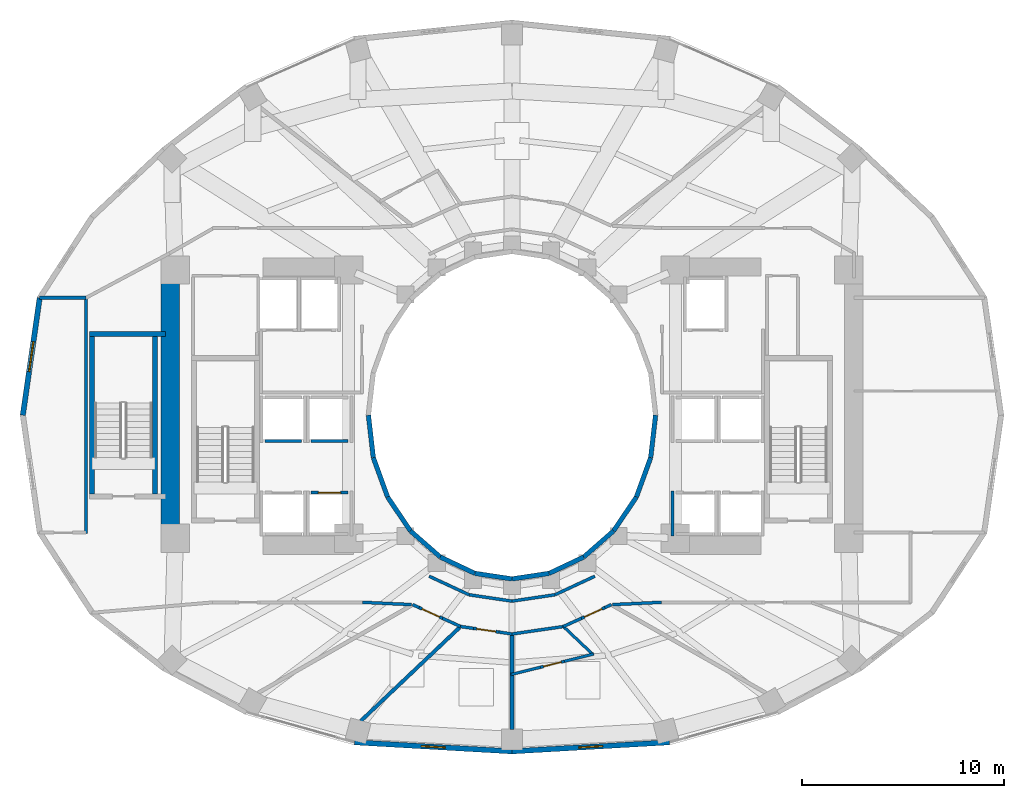
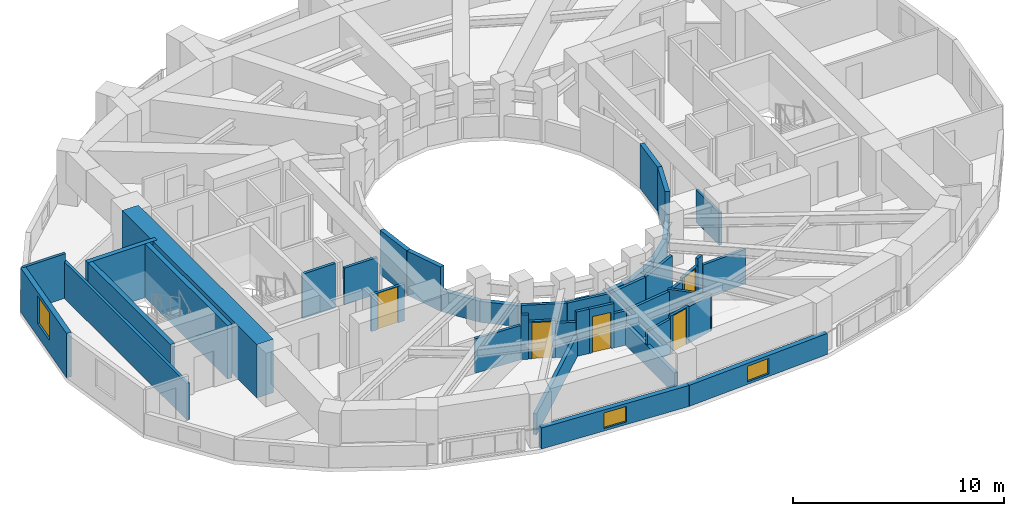
# One storey, part 9 of 16: 47 walls, 5 doors, 3 windows, 8 openings.
"""IFC4 building model written with IfcOpenShell, lengths in metres."""

from ifc_helpers import new_model, si_unit, direction, frame, frame_2d, origin, place, context, subcontext, project, spatial, rectangle, extrude, material, layer, layer_set, type_object, element, fill, save


model = new_model("IFC4")

# Units and contexts
model_context = context("Model", 3, precision=1e-05, world=origin(), true_north=direction((0.0, 1.0)))
body_context = subcontext(model_context, "Body", "Model", "MODEL_VIEW")
ifc_project = project(units=[si_unit("LENGTHUNIT", "METRE"), si_unit("AREAUNIT", "SQUARE_METRE"), si_unit("VOLUMEUNIT", "CUBIC_METRE"), si_unit("PLANEANGLEUNIT", "RADIAN"), si_unit("MASSUNIT", "GRAM", prefix="KILO")], contexts=[model_context])

# Site, building, storey
site_placement = place(None, origin())
site = spatial("IfcSite", under=ifc_project, at=site_placement, CompositionType="ELEMENT")
building_placement = place(site_placement, origin())
building = spatial("IfcBuilding", under=site, at=building_placement, Name="Solvane Sanctuary Tower", CompositionType="ELEMENT")
storey_placement = place(building_placement, frame((0.0, 0.0, 82.5)))
storey = spatial("IfcBuildingStorey", under=building, at=storey_placement, Name="L24", CompositionType="ELEMENT", Elevation=82.5)

# Walls
ifc_material_1 = material(Name="Concrete C70/85", Category="concrete")
ifc_layer_1 = layer(ifc_material_1, 0.89990234375, Name="Concrete C70/85")
ifc_layer_set_1 = layer_set([ifc_layer_1], Name="Concrete C70/85")
wall_type_1 = type_object("IfcWallType", Name="Wall W-CORE-900", PredefinedType="SHEAR", material=ifc_layer_set_1)
wall_1_placement = place(storey_placement, frame((15.050048828125, 17.050048828125, 0.0), z_axis=(0.0, 0.0, 1.0), x_axis=(0.0, 1.0, 0.0)))
element("IfcWall", 1, at=wall_1_placement, inside=storey, type_object=wall_type_1, Name="L24 Core Shear Wall WC-W", PredefinedType="SHEAR", context=body_context, shape_type="SweptSolid", body=[
    extrude(rectangle(XDim=12.800048828125, YDim=0.89990234375, at=frame_2d((6.39990234375, 0.0))), origin(), (0.0, 0.0, 1.0), 3.10009765625),
])
ifc_material_2 = material(Name="Acoustic Gypsum Partition Board")
ifc_layer_2 = layer(ifc_material_2, 0.14990234375, Name="Acoustic Gypsum Partition Board")
ifc_layer_set_2 = layer_set([ifc_layer_2], Name="Acoustic Gypsum Partition Board")
wall_type_2 = type_object("IfcWallType", Name="Wall W-CORR-150", PredefinedType="PARTITIONING", material=ifc_layer_set_2)
wall_2_placement = place(storey_placement, frame((27.889892578125, 15.01513671875, 0.0), z_axis=(0.0, 0.0, 1.0), x_axis=(0.906943449489, -0.421252393975, 0.0)))
element("IfcWall", 2, at=wall_2_placement, inside=storey, type_object=wall_type_2, Name="L24 Light-Well Corridor Rim Wall S1", PredefinedType="PARTITIONING", context=body_context, shape_type="SweptSolid", body=[
    extrude(rectangle(XDim=2.18603515625, YDim=0.14990234375, at=frame_2d((1.093017578125, 0.0))), origin(), (0.0, 0.0, 1.0), 1.991943359375),
])
for number, where, z_axis, x_axis, name in (
    (3, (29.87255859375, 14.09423828125, 0.0), (0.0, 0.0, 1.0), (0.989268584896, -0.146108408166, 0.0), "L24 Light-Well Corridor Rim Wall S2"),
    (4, (32.0, 13.780029296875, 0.0), (0.0, 0.0, 1.0), (0.989268584896, 0.146108408166, 0.0), "L24 Light-Well Corridor Rim Wall S3"),
):
    element("IfcWall", number, at=place(storey_placement, frame(where, z_axis=z_axis, x_axis=x_axis)), inside=storey, type_object=wall_type_2, Name=name, PredefinedType="PARTITIONING", context=body_context, shape_type="SweptSolid", body=[
        extrude(rectangle(XDim=2.150634765625, YDim=0.14990234375, at=frame_2d((1.0751953125, 0.0))), origin(), (0.0, 0.0, 1.0), 1.991943359375),
    ])
wall_3_placement = place(storey_placement, frame((34.12744140625, 14.09423828125, 0.0), z_axis=(0.0, 0.0, 1.0), x_axis=(0.906943449489, 0.421252393975, 0.0)))
element("IfcWall", 5, at=wall_3_placement, inside=storey, type_object=wall_type_2, Name="L24 Light-Well Corridor Rim Wall S4", PredefinedType="PARTITIONING", context=body_context, shape_type="SweptSolid", body=[
    extrude(rectangle(XDim=2.18603515625, YDim=0.14990234375, at=frame_2d((1.093017578125, 0.0))), origin(), (0.0, 0.0, 1.0), 1.991943359375),
])
wall_4_placement = place(storey_placement, frame((10.8798828125, 17.134765625, 0.0), z_axis=(0.0, 0.0, 1.0), x_axis=(0.0, 1.0, 0.0)))
element("IfcWall", 6, at=wall_4_placement, inside=storey, type_object=wall_type_2, Name="L24 West Shoulder Back Wall", PredefinedType="PARTITIONING", context=body_context, shape_type="SweptSolid", body=[
    extrude(rectangle(XDim=11.73046875, YDim=0.14990234375, at=frame_2d((5.865234375, 0.0))), origin(), (0.0, 0.0, 1.0), 2.1201171875),
])
wall_5_placement = place(storey_placement, frame((8.558349609375, 28.8251953125, 0.0), z_axis=(0.0, 0.0, 1.0), x_axis=(1.0, 0.0, 0.0)))
element("IfcWall", 7, at=wall_5_placement, inside=storey, type_object=wall_type_2, Name="L24 West Shoulder North Wall", PredefinedType="PARTITIONING", context=body_context, shape_type="SweptSolid", body=[
    extrude(rectangle(XDim=2.321533203125, YDim=0.14990234375, at=frame_2d((1.16064453125, 0.0))), origin(), (0.0, 0.0, 1.0), 2.574951171875),
])
for number, where, z_axis, x_axis, name in (
    (8, (27.02001953125, 13.606201171875, 0.0), (0.0, 0.0, 1.0), (-0.998877427952, 0.047369651964, 0.0), "L24 SW Corner Throat Wall"),
    (9, (36.97998046875, 13.606201171875, 0.0), (0.0, 0.0, 1.0), (0.998877427952, 0.047369651964, 0.0), "L24 SE Corner Throat Wall"),
):
    element("IfcWall", number, at=place(storey_placement, frame(where, z_axis=z_axis, x_axis=x_axis)), inside=storey, type_object=wall_type_2, Name=name, PredefinedType="PARTITIONING", context=body_context, shape_type="SweptSolid", body=[
        extrude(rectangle(XDim=2.4326171875, YDim=0.14990234375, at=frame_2d((1.21630859375, 0.0))), origin(), (0.0, 0.0, 1.0), 1.991943359375),
    ])
wall_6_placement = place(storey_placement, frame((27.069091796875, 13.607421875, 0.0), z_axis=(0.0, 0.0, 1.0), x_axis=(0.909787750204, -0.415073788113, 0.0)))
element("IfcWall", 10, at=wall_6_placement, inside=storey, type_object=wall_type_2, Name="L24 Unit Corridor Wall S1", PredefinedType="PARTITIONING", context=body_context, shape_type="SweptSolid", body=[
    extrude(rectangle(XDim=0.36181640625, YDim=0.14990234375, at=frame_2d((0.180908203125, 0.0))), origin(), (0.0, 0.0, 1.0), 2.574951171875),
])

# Wall, opening, door
wall_7_placement = place(storey_placement, frame((27.398193359375, 13.457275390625, 0.0), z_axis=(0.0, 0.0, 1.0), x_axis=(0.909740090182, -0.415178236804, 0.0)))
wall_7 = element("IfcWall", 11, at=wall_7_placement, inside=storey, type_object=wall_type_2, Name="L24 Unit Corridor Wall S1", PredefinedType="PARTITIONING", context=body_context, shape_type="SweptSolid", body=[
    extrude(rectangle(XDim=1.270263671875, YDim=0.14990234375, at=frame_2d((0.63525390625, 0.0))), origin(), (0.0, 0.0, 1.0), 2.159912109375),
])
opening_1_placement = place(wall_7_placement, frame((0.159912109375, 0.0, 0.0)))
opening_1 = element("IfcOpeningElement", 12, at=opening_1_placement, cuts=wall_7, Name="Opening D-L24-18", PredefinedType="OPENING", context=body_context, shape_type="SweptSolid", body=[
    extrude(rectangle(XDim=0.949951171875, YDim=2.10009765625, at=frame_2d((0.47509765625, 1.050048828125))), frame((0.0, 0.0849609375, 0.0), z_axis=(0.0, -1.0, 0.0), x_axis=(1.0, 0.0, 0.0)), (0.0, 0.0, 1.0), 0.169921875),
])
ifc_material_3 = material(Name="Engineered Tropical Hardwood", Category="wood")
door_type_1 = type_object("IfcDoorType", Name="Door D-ROOM-950", OperationType="NOTDEFINED", PredefinedType="DOOR", material=ifc_material_3)
door_1_placement = place(opening_1_placement, origin())
door_1 = element("IfcDoor", 13, at=door_1_placement, inside=storey, type_object=door_type_1, Name="L24 Unit Entrance Door S1", OperationType="SINGLE_SWING_LEFT", OverallHeight=2.10009765625, OverallWidth=0.949951171875, PredefinedType="DOOR", context=body_context, shape_type="SweptSolid", body=[
    extrude(rectangle(XDim=0.949951171875, YDim=2.10009765625, at=frame_2d((0.47509765625, 1.050048828125))), frame((0.0, 0.02490234375, 0.0), z_axis=(0.0, -1.0, 0.0), x_axis=(1.0, 0.0, 0.0)), (0.0, 0.0, 1.0), 0.050048828125),
])
fill(opening_1, door_1)

# Walls
wall_8_placement = place(storey_placement, frame((28.5537109375, 12.929931640625, 0.0), z_axis=(0.0, 0.0, 1.0), x_axis=(0.909742502959, -0.415172949878, 0.0)))
element("IfcWall", 14, at=wall_8_placement, inside=storey, type_object=wall_type_2, Name="L24 Unit Corridor Wall S1", PredefinedType="PARTITIONING", context=body_context, shape_type="SweptSolid", body=[
    extrude(rectangle(XDim=0.9931640625, YDim=0.14990234375, at=frame_2d((0.49658203125, 0.0))), origin(), (0.0, 0.0, 1.0), 1.991943359375),
])
wall_9_placement = place(storey_placement, frame((29.444091796875, 12.521728515625, 0.0), z_axis=(0.0, 0.0, 1.0), x_axis=(0.989643848527, -0.143544603076, 0.0)))
element("IfcWall", 15, at=wall_9_placement, inside=storey, type_object=wall_type_2, Name="L24 Unit Corridor Wall S2", PredefinedType="PARTITIONING", context=body_context, shape_type="SweptSolid", body=[
    extrude(rectangle(XDim=0.659912109375, YDim=0.14990234375, at=frame_2d((0.330078125, 0.0))), origin(), (0.0, 0.0, 1.0), 2.574951171875),
])

# Wall, opening, door
wall_10_placement = place(storey_placement, frame((30.09716796875, 12.427001953125, 0.0), z_axis=(0.0, 0.0, 1.0), x_axis=(0.989635669595, -0.143600980029, 0.0)))
wall_10 = element("IfcWall", 16, at=wall_10_placement, inside=storey, type_object=wall_type_2, Name="L24 Unit Corridor Wall S2", PredefinedType="PARTITIONING", context=body_context, shape_type="SweptSolid", body=[
    extrude(rectangle(XDim=1.27001953125, YDim=0.14990234375, at=frame_2d((0.635009765625, 0.0))), origin(), (0.0, 0.0, 1.0), 2.574951171875),
])
opening_2_placement = place(wall_10_placement, frame((0.159912109375, 0.0, 0.0)))
opening_2 = element("IfcOpeningElement", 17, at=opening_2_placement, cuts=wall_10, Name="Opening D-L24-19", PredefinedType="OPENING", context=body_context, shape_type="SweptSolid", body=[
    extrude(rectangle(XDim=0.949951171875, YDim=2.10009765625, at=frame_2d((0.47509765625, 1.050048828125))), frame((0.0, 0.0849609375, 0.0), z_axis=(0.0, -1.0, 0.0), x_axis=(1.0, 0.0, 0.0)), (0.0, 0.0, 1.0), 0.169921875),
])
door_2_placement = place(opening_2_placement, origin())
door_2 = element("IfcDoor", 18, at=door_2_placement, inside=storey, type_object=door_type_1, Name="L24 Unit Entrance Door S2", OperationType="SINGLE_SWING_RIGHT", OverallHeight=2.10009765625, OverallWidth=0.949951171875, PredefinedType="DOOR", context=body_context, shape_type="SweptSolid", body=[
    extrude(rectangle(XDim=0.949951171875, YDim=2.10009765625, at=frame_2d((0.47509765625, 1.050048828125))), frame((0.0, 0.02490234375, 0.0), z_axis=(0.0, -1.0, 0.0), x_axis=(1.0, 0.0, 0.0)), (0.0, 0.0, 1.0), 0.050048828125),
])
fill(opening_2, door_2)

# Walls
wall_11_placement = place(storey_placement, frame((31.35400390625, 12.24462890625, 0.0), z_axis=(0.0, 0.0, 1.0), x_axis=(0.989636221287, -0.143597177958, 0.0)))
element("IfcWall", 19, at=wall_11_placement, inside=storey, type_object=wall_type_2, Name="L24 Unit Corridor Wall S2", PredefinedType="PARTITIONING", context=body_context, shape_type="SweptSolid", body=[
    extrude(rectangle(XDim=0.65966796875, YDim=0.14990234375, at=frame_2d((0.329833984375, 0.0))), origin(), (0.0, 0.0, 1.0), 1.991943359375),
])
wall_12_placement = place(storey_placement, frame((31.950439453125, 12.142822265625, 0.0), z_axis=(0.0, 0.0, 1.0), x_axis=(0.989649898776, 0.143502884474, 0.0)))
element("IfcWall", 20, at=wall_12_placement, inside=storey, type_object=wall_type_2, Name="L24 En-suite Inner Wall S3", PredefinedType="PARTITIONING", context=body_context, shape_type="SweptSolid", body=[
    extrude(rectangle(XDim=2.676025390625, YDim=0.14990234375, at=frame_2d((1.337890625, 0.0))), origin(), (0.0, 0.0, 1.0), 1.991943359375),
])
wall_13_placement = place(storey_placement, frame((34.542724609375, 12.517578125, 0.0), z_axis=(0.0, 0.0, 1.0), x_axis=(0.909742502959, 0.415172949878, 0.0)))
element("IfcWall", 21, at=wall_13_placement, inside=storey, type_object=wall_type_2, Name="L24 Unit Corridor Wall S3", PredefinedType="PARTITIONING", context=body_context, shape_type="SweptSolid", body=[
    extrude(rectangle(XDim=0.9931640625, YDim=0.14990234375, at=frame_2d((0.49658203125, 0.0))), origin(), (0.0, 0.0, 1.0), 1.991943359375),
])

# Wall, opening, door
wall_14_placement = place(storey_placement, frame((35.4462890625, 12.929931640625, 0.0), z_axis=(0.0, 0.0, 1.0), x_axis=(0.909740090182, 0.415178236804, 0.0)))
wall_14 = element("IfcWall", 22, at=wall_14_placement, inside=storey, type_object=wall_type_2, Name="L24 Unit Corridor Wall S3", PredefinedType="PARTITIONING", context=body_context, shape_type="SweptSolid", body=[
    extrude(rectangle(XDim=1.270263671875, YDim=0.14990234375, at=frame_2d((0.63525390625, 0.0))), origin(), (0.0, 0.0, 1.0), 2.159912109375),
])
opening_3_placement = place(wall_14_placement, frame((0.159912109375, 0.0, 0.0)))
opening_3 = element("IfcOpeningElement", 23, at=opening_3_placement, cuts=wall_14, Name="Opening D-L24-21", PredefinedType="OPENING", context=body_context, shape_type="SweptSolid", body=[
    extrude(rectangle(XDim=0.949951171875, YDim=2.10009765625, at=frame_2d((0.47509765625, 1.050048828125))), frame((0.0, 0.0849609375, 0.0), z_axis=(0.0, -1.0, 0.0), x_axis=(1.0, 0.0, 0.0)), (0.0, 0.0, 1.0), 0.169921875),
])
door_3_placement = place(opening_3_placement, origin())
door_3 = element("IfcDoor", 24, at=door_3_placement, inside=storey, type_object=door_type_1, Name="L24 Unit Entrance Door S3", OperationType="SINGLE_SWING_RIGHT", OverallHeight=2.10009765625, OverallWidth=0.949951171875, PredefinedType="DOOR", context=body_context, shape_type="SweptSolid", body=[
    extrude(rectangle(XDim=0.949951171875, YDim=2.10009765625, at=frame_2d((0.47509765625, 1.050048828125))), frame((0.0, 0.02490234375, 0.0), z_axis=(0.0, -1.0, 0.0), x_axis=(1.0, 0.0, 0.0)), (0.0, 0.0, 1.0), 0.050048828125),
])
fill(opening_3, door_3)

# Wall
wall_15_placement = place(storey_placement, frame((36.601806640625, 13.457275390625, 0.0), z_axis=(0.0, 0.0, 1.0), x_axis=(0.909787750204, 0.415073788113, 0.0)))
element("IfcWall", 25, at=wall_15_placement, inside=storey, type_object=wall_type_2, Name="L24 Unit Corridor Wall S3", PredefinedType="PARTITIONING", context=body_context, shape_type="SweptSolid", body=[
    extrude(rectangle(XDim=0.36181640625, YDim=0.14990234375, at=frame_2d((0.180908203125, 0.0))), origin(), (0.0, 0.0, 1.0), 2.574951171875),
])

# Wall, opening, window
ifc_material_4 = material(Name="Precast concrete C40/50", Category="concrete")
ifc_layer_3 = layer(ifc_material_4, 0.260009765625, Name="Precast concrete C40/50")
ifc_layer_set_3 = layer_set([ifc_layer_3], Name="Precast concrete C40/50")
wall_type_3 = type_object("IfcWallType", Name="Wall W-EXT-250", PredefinedType="STANDARD", material=ifc_layer_set_3)
wall_16_placement = place(storey_placement, frame((8.578125, 28.818603515625, 0.0), z_axis=(0.0, 0.0, 1.0), x_axis=(-0.142572472068, -0.98978436551, 0.0)))
wall_16 = element("IfcWall", 26, at=wall_16_placement, inside=storey, type_object=wall_type_3, Name="L24 Ceramic-Printed Facade Wall 11", PredefinedType="STANDARD", context=body_context, shape_type="SweptSolid", body=[
    extrude(rectangle(XDim=5.878662109375, YDim=0.260009765625, at=frame_2d((2.939453125, 0.0))), origin(), (0.0, 0.0, 1.0), 2.570068359375),
])
opening_4_placement = place(wall_16_placement, frame((2.189453125, 0.0, 0.75)))
opening_4 = element("IfcOpeningElement", 27, at=opening_4_placement, cuts=wall_16, Name="Opening WN-OPER-1500", PredefinedType="OPENING", context=body_context, shape_type="SweptSolid", body=[
    extrude(rectangle(XDim=1.5, YDim=1.60009765625, at=frame_2d((0.75, 0.800048828125))), frame((0.0, 0.139892578125, 0.0), z_axis=(0.0, -1.0, 0.0), x_axis=(1.0, 0.0, 0.0)), (0.0, 0.0, 1.0), 0.280029296875),
])
ifc_material_5 = material(Name="Dark Ceramic-Fritted Low-E Glass", Category="glass")
window_type_1 = type_object("IfcWindowType", Name="Window WN-OPER-1500", PartitioningType="SINGLE_PANEL", PredefinedType="WINDOW", material=ifc_material_5)
window_1_placement = place(opening_4_placement, origin())
window_1 = element("IfcWindow", 28, at=window_1_placement, inside=storey, type_object=window_type_1, Name="L24 Operable Facade Window 11", OverallHeight=1.60009765625, OverallWidth=1.5, PartitioningType="SINGLE_PANEL", PredefinedType="WINDOW", context=body_context, shape_type="SweptSolid", body=[
    extrude(rectangle(XDim=1.5, YDim=1.60009765625, at=frame_2d((0.75, 0.800048828125))), frame((0.0, 0.030029296875, 0.0), z_axis=(0.0, -1.0, 0.0), x_axis=(1.0, 0.0, 0.0)), (0.0, 0.0, 1.0), 0.06005859375),
])
fill(opening_4, window_1)

wall_17_placement = place(storey_placement, frame((24.18359375, 6.7783203125, 0.0), z_axis=(0.0, 0.0, 1.0), x_axis=(0.998352606703, -0.057376586592, 0.0)))
wall_17 = element("IfcWall", 29, at=wall_17_placement, inside=storey, type_object=wall_type_3, Name="L24 Ceramic-Printed Facade Wall 17", PredefinedType="STANDARD", context=body_context, shape_type="SweptSolid", body=[
    extrude(rectangle(XDim=7.829345703125, YDim=0.260009765625, at=frame_2d((3.91455078125, 0.0))), origin(), (0.0, 0.0, 1.0), 1.219970703125),
])
opening_5_placement = place(wall_17_placement, frame((3.314697265625, 0.0, 0.14990234375)))
opening_5 = element("IfcOpeningElement", 30, at=opening_5_placement, cuts=wall_17, Name="Opening WN-OPER-1200", PredefinedType="OPENING", context=body_context, shape_type="SweptSolid", body=[
    extrude(rectangle(XDim=1.199951171875, YDim=0.89990234375, at=frame_2d((0.60009765625, 0.449951171875))), frame((0.0, 0.139892578125, 0.0), z_axis=(0.0, -1.0, 0.0), x_axis=(1.0, 0.0, 0.0)), (0.0, 0.0, 1.0), 0.280029296875),
])
window_type_2 = type_object("IfcWindowType", Name="Window WN-OPER-1200", PartitioningType="SINGLE_PANEL", PredefinedType="WINDOW", material=ifc_material_5)
window_2_placement = place(opening_5_placement, origin())
window_2 = element("IfcWindow", 31, at=window_2_placement, inside=storey, type_object=window_type_2, Name="L24 Operable Facade Window 17", OverallHeight=0.89990234375, OverallWidth=1.199951171875, PartitioningType="SINGLE_PANEL", PredefinedType="WINDOW", context=body_context, shape_type="SweptSolid", body=[
    extrude(rectangle(XDim=1.199951171875, YDim=0.89990234375, at=frame_2d((0.60009765625, 0.449951171875))), frame((0.0, 0.030029296875, 0.0), z_axis=(0.0, -1.0, 0.0), x_axis=(1.0, 0.0, 0.0)), (0.0, 0.0, 1.0), 0.06005859375),
])
fill(opening_5, window_2)

wall_18_placement = place(storey_placement, frame((32.0, 6.3291015625, 0.0), z_axis=(0.0, 0.0, 1.0), x_axis=(0.998352606703, 0.057376586592, 0.0)))
wall_18 = element("IfcWall", 32, at=wall_18_placement, inside=storey, type_object=wall_type_3, Name="L24 Ceramic-Printed Facade Wall 18", PredefinedType="STANDARD", context=body_context, shape_type="SweptSolid", body=[
    extrude(rectangle(XDim=7.829345703125, YDim=0.260009765625, at=frame_2d((3.91455078125, 0.0))), origin(), (0.0, 0.0, 1.0), 1.219970703125),
])
opening_6_placement = place(wall_18_placement, frame((3.314697265625, 0.0, 0.14990234375)))
opening_6 = element("IfcOpeningElement", 33, at=opening_6_placement, cuts=wall_18, Name="Opening WN-OPER-1200", PredefinedType="OPENING", context=body_context, shape_type="SweptSolid", body=[
    extrude(rectangle(XDim=1.199951171875, YDim=0.89990234375, at=frame_2d((0.60009765625, 0.449951171875))), frame((0.0, 0.139892578125, 0.0), z_axis=(0.0, -1.0, 0.0), x_axis=(1.0, 0.0, 0.0)), (0.0, 0.0, 1.0), 0.280029296875),
])
window_3_placement = place(opening_6_placement, origin())
window_3 = element("IfcWindow", 34, at=window_3_placement, inside=storey, type_object=window_type_2, Name="L24 Operable Facade Window 18", OverallHeight=0.89990234375, OverallWidth=1.199951171875, PartitioningType="SINGLE_PANEL", PredefinedType="WINDOW", context=body_context, shape_type="SweptSolid", body=[
    extrude(rectangle(XDim=1.199951171875, YDim=0.89990234375, at=frame_2d((0.60009765625, 0.449951171875))), frame((0.0, 0.030029296875, 0.0), z_axis=(0.0, -1.0, 0.0), x_axis=(1.0, 0.0, 0.0)), (0.0, 0.0, 1.0), 0.06005859375),
])
fill(opening_6, window_3)

# Walls
ifc_layer_4 = layer(ifc_material_4, 0.22998046875, Name="Precast concrete C40/50")
ifc_layer_set_4 = layer_set([ifc_layer_4], Name="Precast concrete C40/50")
wall_type_4 = type_object("IfcWallType", Name="Wall W-EXT-SP220", PredefinedType="STANDARD", material=ifc_layer_set_4)
wall_19_placement = place(storey_placement, frame((24.8798828125, 23.0, 0.0), z_axis=(0.0, 0.0, 1.0), x_axis=(0.114711713601, -0.993398823617, 0.0)))
element("IfcWall", 35, at=wall_19_placement, inside=storey, type_object=wall_type_4, Name="L24 Central Light-Well Wall 12", PredefinedType="STANDARD", context=body_context, shape_type="SweptSolid", body=[
    extrude(rectangle(XDim=2.115478515625, YDim=0.22998046875, at=frame_2d((1.0576171875, 0.0))), origin(), (0.0, 0.0, 1.0), 2.56005859375),
])
wall_20_placement = place(storey_placement, frame((25.12255859375, 20.8984375, 0.0), z_axis=(0.0, 0.0, 1.0), x_axis=(0.341423187295, -0.93990968033, 0.0)))
element("IfcWall", 36, at=wall_20_placement, inside=storey, type_object=wall_type_4, Name="L24 Central Light-Well Wall 13", PredefinedType="STANDARD", context=body_context, shape_type="SweptSolid", body=[
    extrude(rectangle(XDim=2.083740234375, YDim=0.22998046875, at=frame_2d((1.0419921875, 0.0))), origin(), (0.0, 0.0, 1.0), 2.56005859375),
])
wall_21_placement = place(storey_placement, frame((25.833984375, 18.93994140625, 0.0), z_axis=(0.0, 0.0, 1.0), x_axis=(0.558197800898, -0.829707909492, 0.0)))
element("IfcWall", 37, at=wall_21_placement, inside=storey, type_object=wall_type_4, Name="L24 Central Light-Well Wall 14", PredefinedType="STANDARD", context=body_context, shape_type="SweptSolid", body=[
    extrude(rectangle(XDim=2.02685546875, YDim=0.22998046875, at=frame_2d((1.013427734375, 0.0))), origin(), (0.0, 0.0, 1.0), 1.219970703125),
])
wall_22_placement = place(storey_placement, frame((26.96533203125, 17.25830078125, 0.0), z_axis=(0.0, 0.0, 1.0), x_axis=(0.752576694707, -0.658504607869, 0.0)))
element("IfcWall", 38, at=wall_22_placement, inside=storey, type_object=wall_type_4, Name="L24 Central Light-Well Wall 15", PredefinedType="STANDARD", context=body_context, shape_type="SweptSolid", body=[
    extrude(rectangle(XDim=1.95947265625, YDim=0.22998046875, at=frame_2d((0.979736328125, 0.0))), origin(), (0.0, 0.0, 1.0), 1.219970703125),
])
wall_23_placement = place(storey_placement, frame((28.43994140625, 15.968017578125, 0.0), z_axis=(0.0, 0.0, 1.0), x_axis=(0.904179699603, -0.427152280606, 0.0)))
element("IfcWall", 39, at=wall_23_placement, inside=storey, type_object=wall_type_4, Name="L24 Central Light-Well Wall 16", PredefinedType="STANDARD", context=body_context, shape_type="SweptSolid", body=[
    extrude(rectangle(XDim=1.899169921875, YDim=0.22998046875, at=frame_2d((0.94970703125, 0.0))), origin(), (0.0, 0.0, 1.0), 1.219970703125),
])
for number, where, z_axis, x_axis, name in (
    (40, (30.1572265625, 15.15673828125, 0.0), (0.0, 0.0, 1.0), (0.988901730308, -0.148571086668, 0.0), "L24 Central Light-Well Wall 17"),
    (41, (32.0, 14.8798828125, 0.0), (0.0, 0.0, 1.0), (0.988901730308, 0.148571086668, 0.0), "L24 Central Light-Well Wall 18"),
):
    element("IfcWall", number, at=place(storey_placement, frame(where, z_axis=z_axis, x_axis=x_axis)), inside=storey, type_object=wall_type_4, Name=name, PredefinedType="STANDARD", context=body_context, shape_type="SweptSolid", body=[
        extrude(rectangle(XDim=1.863525390625, YDim=0.22998046875, at=frame_2d((0.931640625, 0.0))), origin(), (0.0, 0.0, 1.0), 1.219970703125),
    ])
wall_24_placement = place(storey_placement, frame((33.8427734375, 15.15673828125, 0.0), z_axis=(0.0, 0.0, 1.0), x_axis=(0.904179699603, 0.427152280606, 0.0)))
element("IfcWall", 42, at=wall_24_placement, inside=storey, type_object=wall_type_4, Name="L24 Central Light-Well Wall 19", PredefinedType="STANDARD", context=body_context, shape_type="SweptSolid", body=[
    extrude(rectangle(XDim=1.899169921875, YDim=0.22998046875, at=frame_2d((0.94970703125, 0.0))), origin(), (0.0, 0.0, 1.0), 1.219970703125),
])
wall_25_placement = place(storey_placement, frame((35.56005859375, 15.968017578125, 0.0), z_axis=(0.0, 0.0, 1.0), x_axis=(0.752576694707, 0.658504607869, 0.0)))
element("IfcWall", 43, at=wall_25_placement, inside=storey, type_object=wall_type_4, Name="L24 Central Light-Well Wall 20", PredefinedType="STANDARD", context=body_context, shape_type="SweptSolid", body=[
    extrude(rectangle(XDim=1.95947265625, YDim=0.22998046875, at=frame_2d((0.979736328125, 0.0))), origin(), (0.0, 0.0, 1.0), 1.219970703125),
])
wall_26_placement = place(storey_placement, frame((37.03466796875, 17.25830078125, 0.0), z_axis=(0.0, 0.0, 1.0), x_axis=(0.558197800898, 0.829707909492, 0.0)))
element("IfcWall", 44, at=wall_26_placement, inside=storey, type_object=wall_type_4, Name="L24 Central Light-Well Wall 21", PredefinedType="STANDARD", context=body_context, shape_type="SweptSolid", body=[
    extrude(rectangle(XDim=2.02685546875, YDim=0.22998046875, at=frame_2d((1.013427734375, 0.0))), origin(), (0.0, 0.0, 1.0), 1.219970703125),
])
wall_27_placement = place(storey_placement, frame((38.166015625, 18.93994140625, 0.0), z_axis=(0.0, 0.0, 1.0), x_axis=(0.341423187295, 0.93990968033, 0.0)))
element("IfcWall", 45, at=wall_27_placement, inside=storey, type_object=wall_type_4, Name="L24 Central Light-Well Wall 22", PredefinedType="STANDARD", context=body_context, shape_type="SweptSolid", body=[
    extrude(rectangle(XDim=2.083740234375, YDim=0.22998046875, at=frame_2d((1.0419921875, 0.0))), origin(), (0.0, 0.0, 1.0), 2.56005859375),
])
wall_28_placement = place(storey_placement, frame((38.87744140625, 20.8984375, 0.0), z_axis=(0.0, 0.0, 1.0), x_axis=(0.114711713601, 0.993398823617, 0.0)))
element("IfcWall", 46, at=wall_28_placement, inside=storey, type_object=wall_type_4, Name="L24 Central Light-Well Wall 23", PredefinedType="STANDARD", context=body_context, shape_type="SweptSolid", body=[
    extrude(rectangle(XDim=2.115478515625, YDim=0.22998046875, at=frame_2d((1.0576171875, 0.0))), origin(), (0.0, 0.0, 1.0), 2.56005859375),
])

# Wall, opening, door
ifc_material_6 = material(Name="Concrete C50/60", Category="concrete")
ifc_layer_5 = layer(ifc_material_6, 0.14990234375, Name="Concrete C50/60")
ifc_layer_set_5 = layer_set([ifc_layer_5], Name="Concrete C50/60")
wall_type_5 = type_object("IfcWallType", Name="Wall W-SHAFT-150", PredefinedType="SOLIDWALL", material=ifc_layer_set_5)
wall_29_placement = place(storey_placement, frame((22.0400390625, 19.159912109375, 0.0), z_axis=(0.0, 0.0, 1.0), x_axis=(1.0, 0.0, 0.0)))
wall_29 = element("IfcWall", 47, at=wall_29_placement, inside=storey, type_object=wall_type_5, Name="L24 PL-2 Lift Shaft Wall F", PredefinedType="SOLIDWALL", context=body_context, shape_type="SweptSolid", body=[
    extrude(rectangle(XDim=1.820068359375, YDim=0.14990234375, at=frame_2d((0.91015625, 0.0))), origin(), (0.0, 0.0, 1.0), 2.1201171875),
])
opening_7_placement = place(wall_29_placement, frame((0.360107421875, 0.0, 0.0)))
opening_7 = element("IfcOpeningElement", 48, at=opening_7_placement, cuts=wall_29, Name="Opening LD-L24-02", PredefinedType="OPENING", context=body_context, shape_type="SweptSolid", body=[
    extrude(rectangle(XDim=1.10009765625, YDim=2.10009765625, at=frame_2d((0.550048828125, 1.050048828125))), frame((0.0, 0.0849609375, 0.0), z_axis=(0.0, -1.0, 0.0), x_axis=(1.0, 0.0, 0.0)), (0.0, 0.0, 1.0), 0.169921875),
])
ifc_material_7 = material(Name="Architectural Stainless Steel 316", Category="steel")
door_type_2 = type_object("IfcDoorType", Name="Door LD-PASS-1100", OperationType="NOTDEFINED", PredefinedType="DOOR", material=ifc_material_7)
door_4_placement = place(opening_7_placement, origin())
door_4 = element("IfcDoor", 49, at=door_4_placement, inside=storey, type_object=door_type_2, Name="L24 PL-2 Lift Landing Door", OperationType="DOUBLE_DOOR_SLIDING", OverallHeight=2.10009765625, OverallWidth=1.10009765625, PredefinedType="DOOR", context=body_context, shape_type="SweptSolid", body=[
    extrude(rectangle(XDim=1.10009765625, YDim=2.10009765625, at=frame_2d((0.550048828125, 1.050048828125))), frame((0.0, 0.02490234375, 0.0), z_axis=(0.0, -1.0, 0.0), x_axis=(1.0, 0.0, 0.0)), (0.0, 0.0, 1.0), 0.050048828125),
])
fill(opening_7, door_4)

# Walls
wall_30_placement = place(storey_placement, frame((39.969970703125, 17.02001953125, 0.0), z_axis=(0.0, 0.0, 1.0), x_axis=(0.0, 1.0, 0.0)))
element("IfcWall", 50, at=wall_30_placement, inside=storey, type_object=wall_type_5, Name="L24 PL-3 Lift Shaft Wall S1", PredefinedType="SOLIDWALL", context=body_context, shape_type="SweptSolid", body=[
    extrude(rectangle(XDim=2.219970703125, YDim=0.14990234375, at=frame_2d((1.10986328125, 0.0))), origin(), (0.0, 0.0, 1.0), 1.873046875),
])
wall_31_placement = place(storey_placement, frame((19.739990234375, 21.719970703125, 0.0), z_axis=(0.0, 0.0, 1.0), x_axis=(1.0, 0.0, 0.0)))
element("IfcWall", 51, at=wall_31_placement, inside=storey, type_object=wall_type_5, Name="L24 PM-1 Lift Shaft Wall F", PredefinedType="SOLIDWALL", context=body_context, shape_type="SweptSolid", body=[
    extrude(rectangle(XDim=1.820068359375, YDim=0.14990234375, at=frame_2d((0.91015625, 0.0))), origin(), (0.0, 0.0, 1.0), 2.574951171875),
])
wall_32_placement = place(storey_placement, frame((22.0400390625, 21.719970703125, 0.0), z_axis=(0.0, 0.0, 1.0), x_axis=(1.0, 0.0, 0.0)))
element("IfcWall", 52, at=wall_32_placement, inside=storey, type_object=wall_type_5, Name="L24 PH-1 Lift Shaft Wall F", PredefinedType="SOLIDWALL", context=body_context, shape_type="SweptSolid", body=[
    extrude(rectangle(XDim=1.820068359375, YDim=0.14990234375, at=frame_2d((0.91015625, 0.0))), origin(), (0.0, 0.0, 1.0), 2.1201171875),
])
ifc_layer_6 = layer(ifc_material_6, 0.25, Name="Concrete C50/60")
ifc_layer_set_6 = layer_set([ifc_layer_6], Name="Concrete C50/60")
wall_type_6 = type_object("IfcWallType", Name="Wall W-SHAFT-250", PredefinedType="SOLIDWALL", material=ifc_layer_set_6)
wall_33_placement = place(storey_placement, frame((11.044921875, 27.030029296875, 0.0), z_axis=(0.0, 0.0, 1.0), x_axis=(1.0, 0.0, 0.0)))
element("IfcWall", 53, at=wall_33_placement, inside=storey, type_object=wall_type_6, Name="L24 ST-3 Load-Bearing Shaft Wall N", PredefinedType="SOLIDWALL", context=body_context, shape_type="SweptSolid", body=[
    extrude(rectangle(XDim=3.781982421875, YDim=0.25, at=frame_2d((1.89111328125, 0.0))), origin(), (0.0, 0.0, 1.0), 3.10009765625),
])
for number, where, z_axis, x_axis, name in (
    (54, (11.169921875, 19.094970703125, 0.0), (0.0, 0.0, 1.0), (0.0, 1.0, 0.0), "L24 ST-3 Load-Bearing Shaft Wall W"),
    (55, (14.2900390625, 19.094970703125, 0.0), (0.0, 0.0, 1.0), (0.0, 1.0, 0.0), "L24 ST-3 Load-Bearing Shaft Wall E"),
):
    element("IfcWall", number, at=place(storey_placement, frame(where, z_axis=z_axis, x_axis=x_axis)), inside=storey, type_object=wall_type_6, Name=name, PredefinedType="SOLIDWALL", context=body_context, shape_type="SweptSolid", body=[
        extrude(rectangle(XDim=7.81005859375, YDim=0.25, at=frame_2d((3.905029296875, 0.0))), origin(), (0.0, 0.0, 1.0), 3.10009765625),
    ])
ifc_layer_7 = layer(ifc_material_2, 0.179931640625, Name="Acoustic Gypsum Partition Board")
ifc_layer_set_7 = layer_set([ifc_layer_7], Name="Acoustic Gypsum Partition Board")
wall_type_7 = type_object("IfcWallType", Name="Wall W-UNIT-180", PredefinedType="PARTITIONING", material=ifc_layer_set_7)
wall_34_placement = place(storey_placement, frame((29.41064453125, 12.48193359375, 0.0), z_axis=(0.0, 0.0, 1.0), x_axis=(-0.726306601605, -0.687370875485, 0.0)))
element("IfcWall", 56, at=wall_34_placement, inside=storey, type_object=wall_type_7, Name="L24 Radial Compartment Wall 255", PredefinedType="PARTITIONING", context=body_context, shape_type="SweptSolid", body=[
    extrude(rectangle(XDim=6.759521484375, YDim=0.179931640625, at=frame_2d((3.3798828125, 0.0))), origin(), (0.0, 0.0, 1.0), 1.219970703125),
])
wall_35_placement = place(storey_placement, frame((32.0, 12.094970703125, 0.0), z_axis=(0.0, 0.0, 1.0), x_axis=(0.0, -1.0, 0.0)))
element("IfcWall", 57, at=wall_35_placement, inside=storey, type_object=wall_type_7, Name="L24 Radial Compartment Wall 270", PredefinedType="PARTITIONING", context=body_context, shape_type="SweptSolid", body=[
    extrude(rectangle(XDim=4.669921875, YDim=0.179931640625, at=frame_2d((2.3349609375, 0.0))), origin(), (0.0, 0.0, 1.0), 1.219970703125),
])
ifc_layer_8 = layer(ifc_material_2, 0.139892578125, Name="Acoustic Gypsum Partition Board")
ifc_layer_set_8 = layer_set([ifc_layer_8], Name="Acoustic Gypsum Partition Board")
wall_type_8 = type_object("IfcWallType", Name="Wall W-WET-140", PredefinedType="PLUMBINGWALL", material=ifc_layer_set_8)
wall_36_placement = place(storey_placement, frame((34.51318359375, 12.55419921875, 0.0), z_axis=(0.0, 0.0, 1.0), x_axis=(0.72625505062, -0.687425342455, 0.0)))
element("IfcWall", 58, at=wall_36_placement, inside=storey, type_object=wall_type_8, Name="L24 En-suite Side Partition S3", PredefinedType="PLUMBINGWALL", context=body_context, shape_type="SweptSolid", body=[
    extrude(rectangle(XDim=2.10009765625, YDim=0.139892578125, at=frame_2d((1.050048828125, 0.0))), origin(), (0.0, 0.0, 1.0), 2.10498046875),
])
wall_37_placement = place(storey_placement, frame((31.951416015625, 10.137939453125, 0.0), z_axis=(0.0, 0.0, 1.0), x_axis=(0.970466743012, 0.241234949184, 0.0)))
element("IfcWall", 59, at=wall_37_placement, inside=storey, type_object=wall_type_8, Name="L24 En-suite Bedroom Wall S3", PredefinedType="PLUMBINGWALL", context=body_context, shape_type="SweptSolid", body=[
    extrude(rectangle(XDim=1.501953125, YDim=0.139892578125, at=frame_2d((0.7509765625, 0.0))), origin(), (0.0, 0.0, 1.0), 1.991943359375),
])

# Wall, opening, door
wall_38_placement = place(storey_placement, frame((33.408935546875, 10.500244140625, 0.0), z_axis=(0.0, 0.0, 1.0), x_axis=(0.970447751432, 0.241311337779, 0.0)))
wall_38 = element("IfcWall", 60, at=wall_38_placement, inside=storey, type_object=wall_type_8, Name="L24 En-suite Bedroom Wall S3", PredefinedType="PLUMBINGWALL", context=body_context, shape_type="SweptSolid", body=[
    extrude(rectangle(XDim=1.22021484375, YDim=0.139892578125, at=frame_2d((0.610107421875, 0.0))), origin(), (0.0, 0.0, 1.0), 2.159912109375),
])
opening_8_placement = place(wall_38_placement, frame((0.159912109375, 0.0, 0.0)))
opening_8 = element("IfcOpeningElement", 61, at=opening_8_placement, cuts=wall_38, Name="Opening D-L24-20", PredefinedType="OPENING", context=body_context, shape_type="SweptSolid", body=[
    extrude(rectangle(XDim=0.89990234375, YDim=2.10009765625, at=frame_2d((0.449951171875, 1.050048828125))), frame((0.0, 0.079833984375, 0.0), z_axis=(0.0, -1.0, 0.0), x_axis=(1.0, 0.0, 0.0)), (0.0, 0.0, 1.0), 0.159912109375),
])
door_type_3 = type_object("IfcDoorType", Name="Door D-WET-900", OperationType="NOTDEFINED", PredefinedType="DOOR", material=ifc_material_3)
door_5_placement = place(opening_8_placement, origin())
door_5 = element("IfcDoor", 62, at=door_5_placement, inside=storey, type_object=door_type_3, Name="L24 En-suite Bathroom Door S3", OperationType="SINGLE_SWING_LEFT", OverallHeight=2.10009765625, OverallWidth=0.89990234375, PredefinedType="DOOR", context=body_context, shape_type="SweptSolid", body=[
    extrude(rectangle(XDim=0.89990234375, YDim=2.10009765625, at=frame_2d((0.449951171875, 1.050048828125))), frame((0.0, 0.02490234375, 0.0), z_axis=(0.0, -1.0, 0.0), x_axis=(1.0, 0.0, 0.0)), (0.0, 0.0, 1.0), 0.050048828125),
])
fill(opening_8, door_5)

# Wall
wall_39_placement = place(storey_placement, frame((34.593017578125, 10.794677734375, 0.0), z_axis=(0.0, 0.0, 1.0), x_axis=(0.970466743012, 0.241234949184, 0.0)))
element("IfcWall", 63, at=wall_39_placement, inside=storey, type_object=wall_type_8, Name="L24 En-suite Bedroom Wall S3", PredefinedType="PLUMBINGWALL", context=body_context, shape_type="SweptSolid", body=[
    extrude(rectangle(XDim=1.501953125, YDim=0.139892578125, at=frame_2d((0.7509765625, 0.0))), origin(), (0.0, 0.0, 1.0), 2.10498046875),
])

save(model, "model.ifc")
